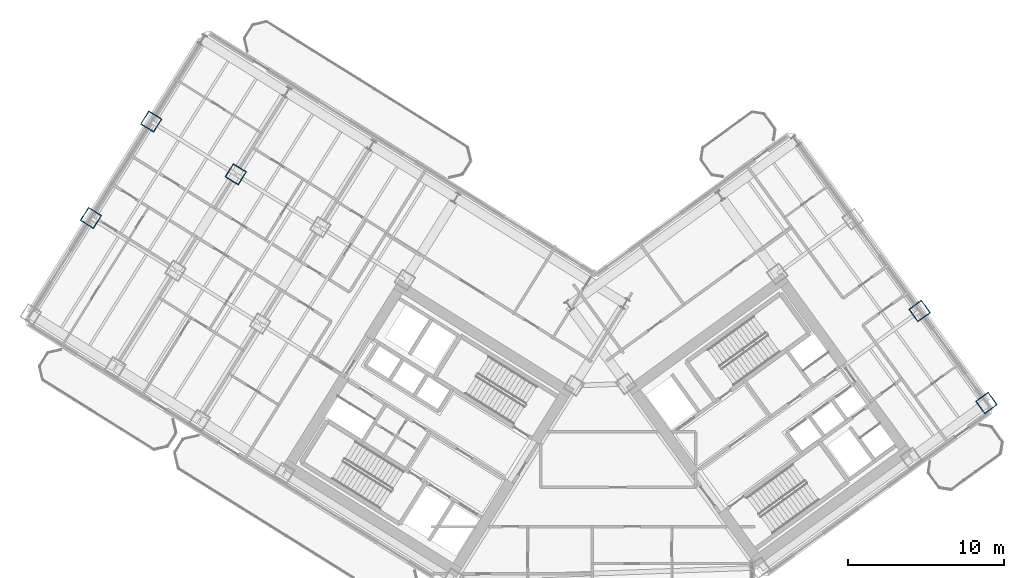
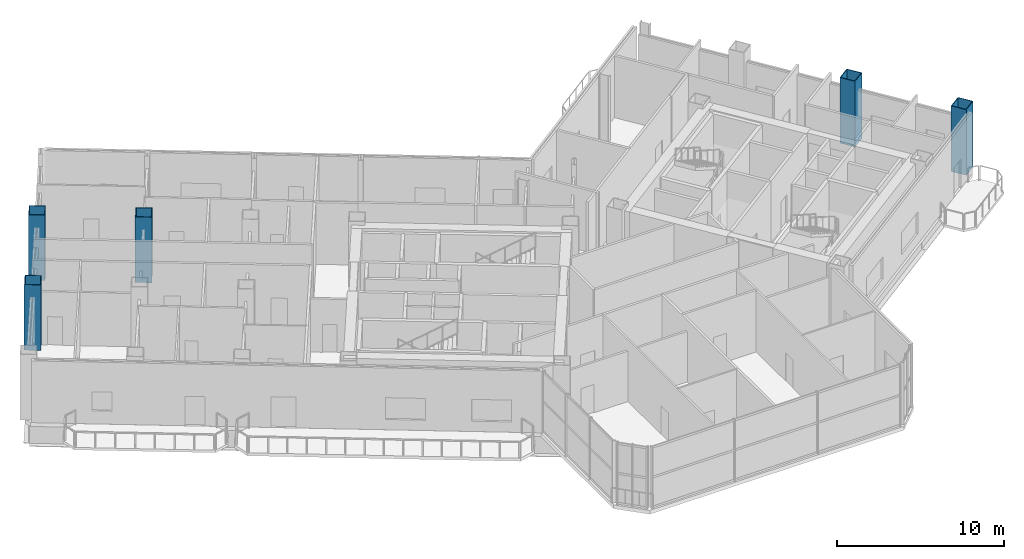
# One storey, part 2 of 22: 5 columns.
"""IFC4 building model written with IfcOpenShell, lengths in metres."""

import ifcopenshell
import ifcopenshell.guid

model = None  # the IFC model being written
_history = None  # IfcOwnerHistory: only IFC2X3 demands one
_inside = {}  # id of a spatial element -> (the spatial element, [elements in it])
_under = {}  # id of a project, library or spatial element -> (it, [spatial elements below it])
_declared = {}  # id of a project -> (the project, [libraries it declares])
_typed = {}  # id of a type object -> (the type object, [elements of that type])
_made_of = {}  # id of a material, layer set ... -> (it, [elements and type objects made of it])


def new_model(schema):
    """Start an empty IFC model of exactly this schema.

    Asked for "IFC4X3", IfcOpenShell would pick the latest addendum, in which some entities
    have other attributes; the version numbers below select the first issue.
    IFC2X3 requires an IfcOwnerHistory on every rooted entity: one is made here for all.
    """
    global model, _history
    if schema == "IFC4X3":
        model = ifcopenshell.file(schema_version=(4, 3, 0, 0))
    else:
        model = ifcopenshell.file(schema=schema)
    _inside.clear()
    _under.clear()
    _declared.clear()
    _typed.clear()
    _made_of.clear()
    _history = None
    if model.schema == "IFC2X3":
        org = make("IfcOrganization", Name="unknown")
        user = make(
            "IfcPersonAndOrganization",
            ThePerson=make("IfcPerson", FamilyName="unknown"),
            TheOrganization=org,
        )
        app = make(
            "IfcApplication",
            ApplicationDeveloper=org,
            Version="unknown",
            ApplicationFullName="unknown",
            ApplicationIdentifier="unknown",
        )
        _history = make(
            "IfcOwnerHistory",
            OwningUser=user,
            OwningApplication=app,
            ChangeAction="ADDED",
            CreationDate=0,
        )
    return model


def make(cls, **values):
    """One entity of the class cls with the attributes given. An attribute that is None is left unset."""
    return model.create_entity(
        cls, **{name: value for name, value in values.items() if value is not None}
    )


def rooted(cls, **values):
    """An entity with a GlobalId (a new one), such as an element, a storey or a relation."""
    return make(cls, GlobalId=ifcopenshell.guid.new(), OwnerHistory=_history, **values)


def si_unit(unit_type, name, prefix=None):
    """IfcSIUnit, for example si_unit("LENGTHUNIT", "METRE", prefix="MILLI")."""
    return make("IfcSIUnit", UnitType=unit_type, Prefix=prefix, Name=name)


def assignment(units):
    """IfcUnitAssignment: the units of a project."""
    return None if units is None else make("IfcUnitAssignment", Units=units)


def point(xyz):
    """IfcCartesianPoint."""
    return None if xyz is None else make("IfcCartesianPoint", Coordinates=xyz)


def direction(xyz):
    """IfcDirection."""
    return None if xyz is None else make("IfcDirection", DirectionRatios=xyz)


def frame(location, z_axis=None, x_axis=None):
    """IfcAxis2Placement3D, a coordinate frame: its origin and axes. An axis left out is left unset."""
    return make(
        "IfcAxis2Placement3D",
        Location=point(location),
        Axis=direction(z_axis),
        RefDirection=direction(x_axis),
    )


def frame_2d(location, x_axis=None):
    """IfcAxis2Placement2D, a coordinate frame in the plane: its origin and x axis."""
    return make(
        "IfcAxis2Placement2D", Location=point(location), RefDirection=direction(x_axis)
    )


def origin():
    """The frame at (0, 0, 0) with its axes left unset."""
    return frame((0.0, 0.0, 0.0))


def origin_2d():
    """The frame at (0, 0) in the plane with its x axis left unset."""
    return frame_2d((0.0, 0.0))


def place(relative_to, where):
    """IfcLocalPlacement: puts the frame where relative to a parent placement (None: the world)."""
    return make(
        "IfcLocalPlacement", PlacementRelTo=relative_to, RelativePlacement=where
    )


def context(
    kind, dimensions, precision=None, world=None, true_north=None, identifier=None
):
    """IfcGeometricRepresentationContext, for example the 3D "Model" context."""
    return make(
        "IfcGeometricRepresentationContext",
        ContextIdentifier=identifier,
        ContextType=kind,
        CoordinateSpaceDimension=dimensions,
        Precision=precision,
        WorldCoordinateSystem=world,
        TrueNorth=true_north,
    )


def subcontext(parent, identifier, kind, view, scale=None):
    """IfcGeometricRepresentationSubContext, for example "Body" below "Model"."""
    return make(
        "IfcGeometricRepresentationSubContext",
        ContextIdentifier=identifier,
        ContextType=kind,
        ParentContext=parent,
        TargetScale=scale,
        TargetView=view,
    )


def project(units=None, contexts=None):
    """IfcProject with its units and contexts."""
    return rooted(
        "IfcProject",
        Name="project",
        RepresentationContexts=contexts,
        UnitsInContext=assignment(units),
    )


def spatial(cls, under=None, at=None, **own):
    """A site, building, storey or space (cls), placed at a placement, below another one or the project."""
    s = rooted(cls, ObjectPlacement=at, **own)
    if under is not None:
        _under.setdefault(under.id(), (under, []))[1].append(s)
    return s


def profile(cls, at=None, kind="AREA", **sizes):
    """A parametric profile (cls). Its sizes go by their IFC names, for example OverallWidth=200.0."""
    return make(cls, ProfileType=kind, Position=at, **sizes)


def hollow_rectangle(**sizes):
    """IfcRectangleHollowProfileDef."""
    return profile("IfcRectangleHollowProfileDef", **sizes)


def extrude(swept, where, along, depth):
    """IfcExtrudedAreaSolid: the profile swept, set in the frame where, extruded along a direction by depth."""
    return make(
        "IfcExtrudedAreaSolid",
        SweptArea=swept,
        Position=where,
        ExtrudedDirection=direction(along),
        Depth=depth,
    )


def shape(context_of_items, identifier, shape_type, items):
    """IfcShapeRepresentation: the items that make up one representation, for example the "Body"."""
    return make(
        "IfcShapeRepresentation",
        ContextOfItems=context_of_items,
        RepresentationIdentifier=identifier,
        RepresentationType=shape_type,
        Items=items,
    )


def source(mapping_origin, context_of_items, identifier, shape_type, items):
    """IfcRepresentationMap: a shape defined once, which mapped items show again and again."""
    return make(
        "IfcRepresentationMap",
        MappingOrigin=mapping_origin,
        MappedRepresentation=shape(context_of_items, identifier, shape_type, items),
    )


def transform(
    local_origin,
    x_axis=None,
    y_axis=None,
    z_axis=None,
    scale=None,
    scale2=None,
    scale3=None,
    uniform=True,
):
    """IfcCartesianTransformationOperator3D, or its non-uniform kind. x_axis, y_axis, z_axis: its Axis1, 2, 3."""
    if uniform:
        return make(
            "IfcCartesianTransformationOperator3D",
            Axis1=direction(x_axis),
            Axis2=direction(y_axis),
            LocalOrigin=point(local_origin),
            Scale=scale,
            Axis3=direction(z_axis),
        )
    return make(
        "IfcCartesianTransformationOperator3DnonUniform",
        Axis1=direction(x_axis),
        Axis2=direction(y_axis),
        LocalOrigin=point(local_origin),
        Scale=scale,
        Axis3=direction(z_axis),
        Scale2=scale2,
        Scale3=scale3,
    )


def mapped(mapping_source, mapping_target):
    """IfcMappedItem: shows the shape of a source again, moved by a transform."""
    return make(
        "IfcMappedItem", MappingSource=mapping_source, MappingTarget=mapping_target
    )


def material(Name=None, Category=None):
    """IfcMaterial."""
    return make("IfcMaterial", Name=Name, Category=Category)


def material_profile(
    of_material, cross_section, Name=None, Category=None, Priority=None
):
    """IfcMaterialProfile: a cross section and its material."""
    return make(
        "IfcMaterialProfile",
        Name=Name,
        Material=of_material,
        Profile=cross_section,
        Priority=Priority,
        Category=Category,
    )


def profile_set(profiles, Name=None, composite=None):
    """IfcMaterialProfileSet."""
    return make(
        "IfcMaterialProfileSet",
        Name=Name,
        MaterialProfiles=profiles,
        CompositeProfile=composite,
    )


def made_of(thing, what):
    """Note that an element or type object is made of a material, layer set ...; save() writes the relation."""
    if what is not None:
        _made_of.setdefault(what.id(), (what, []))[1].append(thing)
    return thing


def type_object(cls, material=None, **own):
    """A type object (cls), such as IfcWallType, which elements share."""
    return made_of(rooted(cls, **own), material)


def element(
    cls,
    number,
    at=None,
    inside=None,
    cuts=None,
    type_object=None,
    material=None,
    context=None,
    identifier="Body",
    shape_type=None,
    held_by="IfcProductDefinitionShape",
    body=None,
    shapes=None,
    **own,
):
    """One element of the class cls, such as IfcWall. Its Tag is "e" and its number.

    at: its placement. inside: the storey or other place that contains it. cuts: it is an
    opening in that element (IfcRelVoidsElement). A single representation is given by context,
    identifier, shape_type and body (its items); several are given by shapes. held_by: the class
    of the entity that holds the representations. save() writes the other relations.
    """
    e = rooted(cls, Tag="e%d" % number, ObjectPlacement=at, **own)
    if body is not None:
        shapes = [shape(context, identifier, shape_type, body)]
    if shapes is not None:
        e.Representation = make(held_by, Representations=shapes)
    if inside is not None:
        _inside.setdefault(inside.id(), (inside, []))[1].append(e)
    if cuts is not None:
        rooted(
            "IfcRelVoidsElement", RelatingBuildingElement=cuts, RelatedOpeningElement=e
        )
    if type_object is not None:
        _typed.setdefault(type_object.id(), (type_object, []))[1].append(e)
    return made_of(e, material)


def aggregate(whole, parts):
    """IfcRelAggregates: a whole, such as a stair, and the parts it consists of."""
    return rooted("IfcRelAggregates", RelatingObject=whole, RelatedObjects=parts)


def save(model, path):
    """Write the relations noted so far, then the file.

    IfcRelAggregates (storeys below a building ...), IfcRelContainedInSpatialStructure (elements
    in a storey), IfcRelDefinesByType, IfcRelAssociatesMaterial and IfcRelDeclares: one each for
    every whole, place, type object, material and project.
    """
    for whole, parts in _under.values():
        aggregate(whole, parts)
    for where, things in _inside.values():
        rooted(
            "IfcRelContainedInSpatialStructure",
            RelatedElements=things,
            RelatingStructure=where,
        )
    for kind, things in _typed.values():
        rooted("IfcRelDefinesByType", RelatedObjects=things, RelatingType=kind)
    for what, things in _made_of.values():
        rooted("IfcRelAssociatesMaterial", RelatedObjects=things, RelatingMaterial=what)
    for by, libraries in _declared.values():
        rooted("IfcRelDeclares", RelatingContext=by, RelatedDefinitions=libraries)
    model.write(path)


model = new_model("IFC4")

# Units and contexts
model_context = context("Model", 3, precision=1e-05, world=origin(), true_north=direction((0.0, 1.0)))
body_context = subcontext(model_context, "Body", "Model", "MODEL_VIEW")
ifc_project = project(units=[si_unit("LENGTHUNIT", "METRE"), si_unit("AREAUNIT", "SQUARE_METRE"), si_unit("VOLUMEUNIT", "CUBIC_METRE"), si_unit("PLANEANGLEUNIT", "RADIAN"), si_unit("MASSUNIT", "GRAM", prefix="KILO")], contexts=[model_context])

# Site, building, storey
site_placement = place(None, origin())
site = spatial("IfcSite", under=ifc_project, at=site_placement, CompositionType="ELEMENT")
building_placement = place(site_placement, origin())
building = spatial("IfcBuilding", under=site, at=building_placement, Name="Tlacorven Tower", CompositionType="ELEMENT")
storey_placement = place(building_placement, frame((0.0, 0.0, 71.699951171875)))
storey = spatial("IfcBuildingStorey", under=building, at=storey_placement, Name="L18", CompositionType="ELEMENT", Elevation=71.699951171875)

# Columns
ifc_material = material(Name="Steel S460M", Category="steel")
ifc_material_profile = material_profile(ifc_material, hollow_rectangle(XDim=1.0, YDim=1.0, WallThickness=0.0400390625, at=origin_2d()), Name="BOX 1000X1000X40")
ifc_profile_set = profile_set([ifc_material_profile], Name="Steel S460M")
column_type = type_object("IfcColumnType", Name="COL-TWR-S1", PredefinedType="COLUMN", material=ifc_profile_set)
shared_shape = source(origin(), body_context, "Body", "SweptSolid", [
    extrude(hollow_rectangle(XDim=1.0, YDim=1.0, WallThickness=0.0400390625, at=origin_2d()), origin(), (0.0, 0.0, 1.0), 4.800048828125),
])
for number, where, z_axis, x_axis, name in (
    (1, (19.072998046875, 38.034423828125, 0.0), (0.0, 0.0, 1.0), (-0.848048096156, 0.529919264233, 0.0), "L18 column COL-L18-W5-2"),
    (2, (13.6455078125, 41.42578125, 0.0), (0.0, 0.0, 1.0), (-0.848048096156, 0.529919264233, 0.0), "L18 column COL-L18-W6-2"),
    (3, (9.777099609375, 35.235107421875, 0.0), (0.0, 0.0, 1.0), (-0.848048096156, 0.529919264233, 0.0), "L18 column COL-L18-W6-3"),
    (4, (67.267822265625, 23.353515625, 0.0), (0.0, 0.0, 1.0), (0.809016994375, 0.587785252292, 0.0), "L18 column COL-L18-E4-1"),
    (5, (62.976806640625, 29.25927734375, 0.0), (0.0, 0.0, 1.0), (0.809016994375, 0.587785252292, 0.0), "L18 column COL-L18-E4-2"),
):
    element("IfcColumn", number, at=place(storey_placement, frame(where, z_axis=z_axis, x_axis=x_axis)), inside=storey, type_object=column_type, Name=name, PredefinedType="COLUMN", context=body_context, shape_type="MappedRepresentation", body=[
        mapped(shared_shape, transform((0.0, 0.0, 0.0), scale=1.0)),
    ])

save(model, "model.ifc")
